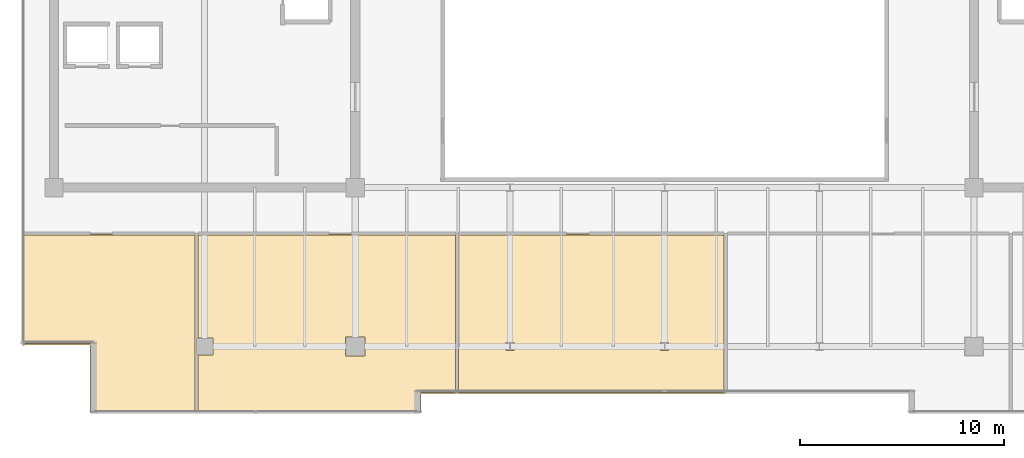
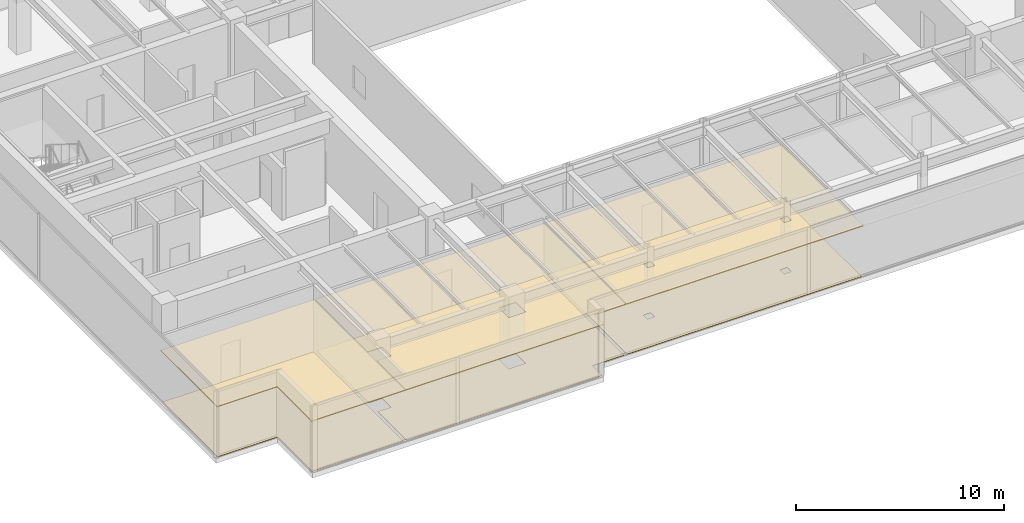
# One storey, part 30 of 34: 6 coverings.
"""IFC4 building model written with IfcOpenShell, lengths in metres."""

from ifc_helpers import new_model, si_unit, direction, frame, origin, place, context, subcontext, project, spatial, polyline, outline, extrude, material, layer, layer_set, type_object, element, save


model = new_model("IFC4")

# Units and contexts
model_context = context("Model", 3, precision=1e-05, world=origin(), true_north=direction((0.0, 1.0)))
body_context = subcontext(model_context, "Body", "Model", "MODEL_VIEW")
ifc_project = project(units=[si_unit("LENGTHUNIT", "METRE"), si_unit("AREAUNIT", "SQUARE_METRE"), si_unit("VOLUMEUNIT", "CUBIC_METRE"), si_unit("PLANEANGLEUNIT", "RADIAN"), si_unit("MASSUNIT", "GRAM", prefix="KILO")], contexts=[model_context])

# Site, building, storey
site_placement = place(None, origin())
site = spatial("IfcSite", under=ifc_project, at=site_placement, CompositionType="ELEMENT")
building_placement = place(site_placement, origin())
building = spatial("IfcBuilding", under=site, at=building_placement, Name="Haelvirn Gate Laboratories", CompositionType="ELEMENT")
storey_placement = place(building_placement, frame((0.0, 0.0, 322.800048828125)))
storey = spatial("IfcBuildingStorey", under=building, at=storey_placement, Name="L77", CompositionType="ELEMENT", Elevation=322.800048828125)

# Coverings
ifc_material_1 = material(Name="Washable cleanroom gasketed aluminium ceiling", Category="aluminium")
ifc_layer_1 = layer(ifc_material_1, 0.050048828125, Name="COV-CEIL-CLN")
ifc_layer_set_1 = layer_set([ifc_layer_1], Name="Washable cleanroom gasketed aluminium ceiling")
covering_type_1 = type_object("IfcCoveringType", Name="COV-CEIL-CLN", PredefinedType="CEILING", material=ifc_layer_set_1)
covering_1_placement = place(storey_placement, frame((0.0, 0.0, 2.989990234375)))
element("IfcCovering", 1, at=covering_1_placement, inside=storey, type_object=covering_type_1, Name="L77 Laboratory Acoustic Ceiling CEIL-SP-L77-S-01", PredefinedType="CEILING", context=body_context, shape_type="SweptSolid", body=[
    extrude(outline(polyline([(5.85009765625, 7.080078125), (5.85009765625, 12.530029296875), (14.3798828125, 12.530029296875), (14.3798828125, 7.419921875), (14.3798828125, 6.580078125), (14.3798828125, 3.75), (9.179931640625, 3.75), (9.179931640625, 7.080078125), (5.85009765625, 7.080078125)])), origin(), (0.0, 0.0, 1.0), 0.050048828125),
])
covering_2_placement = place(storey_placement, frame((0.0, 0.0, 2.989990234375)))
element("IfcCovering", 2, at=covering_2_placement, inside=storey, type_object=covering_type_1, Name="L77 Laboratory Acoustic Ceiling CEIL-SP-L77-S-02", PredefinedType="CEILING", context=body_context, shape_type="SweptSolid", body=[
    extrude(outline(polyline([(27.179931640625, 12.530029296875), (27.179931640625, 4.679931640625), (25.419921875, 4.679931640625), (25.419921875, 3.75), (14.419921875, 3.75), (14.419921875, 6.580078125), (15.219970703125, 6.580078125), (15.219970703125, 7.419921875), (14.419921875, 7.419921875), (14.419921875, 12.530029296875), (27.179931640625, 12.530029296875)]), holes=[polyline([(22.669921875, 7.469970703125), (21.72998046875, 7.469970703125), (21.72998046875, 6.530029296875), (22.669921875, 6.530029296875), (22.669921875, 7.469970703125)])]), origin(), (0.0, 0.0, 1.0), 0.050048828125),
])
covering_3_placement = place(storey_placement, frame((0.0, 0.0, 2.989990234375)))
element("IfcCovering", 3, at=covering_3_placement, inside=storey, type_object=covering_type_1, Name="L77 Laboratory Acoustic Ceiling CEIL-SP-L77-S-03", PredefinedType="CEILING", context=body_context, shape_type="SweptSolid", body=[
    extrude(outline(polyline([(40.3798828125, 12.530029296875), (40.3798828125, 4.679931640625), (27.219970703125, 4.679931640625), (27.219970703125, 12.530029296875), (40.3798828125, 12.530029296875)]), holes=[polyline([(29.60498046875, 7.195068359375), (29.60498046875, 6.804931640625), (29.9951171875, 6.804931640625), (29.9951171875, 7.195068359375), (29.60498046875, 7.195068359375)]), polyline([(37.594970703125, 7.195068359375), (37.205078125, 7.195068359375), (37.205078125, 6.804931640625), (37.594970703125, 6.804931640625), (37.594970703125, 7.195068359375)])]), origin(), (0.0, 0.0, 1.0), 0.050048828125),
])
ifc_material_2 = material(Name="Seamless chemical-resistant epoxy laboratory flooring")
ifc_layer_2 = layer(ifc_material_2, 0.01806640625, Name="COV-FLR-RESIN")
ifc_layer_set_2 = layer_set([ifc_layer_2], Name="Seamless chemical-resistant epoxy laboratory flooring")
covering_type_2 = type_object("IfcCoveringType", Name="COV-FLR-RESIN", PredefinedType="FLOORING", material=ifc_layer_set_2)
covering_4_placement = place(storey_placement, origin())
element("IfcCovering", 4, at=covering_4_placement, inside=storey, type_object=covering_type_2, Name="L77 Seamless Laboratory Flooring FLR-SP-L77-S-01", PredefinedType="FLOORING", context=body_context, shape_type="SweptSolid", body=[
    extrude(outline(polyline([(14.320068359375, 12.469970703125), (14.320068359375, 3.81005859375), (9.239990234375, 3.81005859375), (9.239990234375, 7.10009765625), (9.23974609375, 7.10400390625), (9.2392578125, 7.10791015625), (9.23828125, 7.111572265625), (9.237060546875, 7.115234375), (9.2353515625, 7.118896484375), (9.2333984375, 7.122314453125), (9.23095703125, 7.12548828125), (9.228271484375, 7.12841796875), (9.225341796875, 7.130859375), (9.22216796875, 7.13330078125), (9.218994140625, 7.13525390625), (9.21533203125, 7.136962890625), (9.211669921875, 7.13818359375), (9.207763671875, 7.13916015625), (9.203857421875, 7.139892578125), (9.199951171875, 7.139892578125), (5.909912109375, 7.139892578125), (5.909912109375, 12.469970703125), (14.320068359375, 12.469970703125)])), origin(), (0.0, 0.0, 1.0), 0.01806640625),
])
covering_5_placement = place(storey_placement, origin())
element("IfcCovering", 5, at=covering_5_placement, inside=storey, type_object=covering_type_2, Name="L77 Seamless Laboratory Flooring FLR-SP-L77-S-02", PredefinedType="FLOORING", context=body_context, shape_type="SweptSolid", body=[
    extrude(outline(polyline([(15.219970703125, 7.419921875), (14.47998046875, 7.419921875), (14.47998046875, 12.469970703125), (27.1201171875, 12.469970703125), (27.1201171875, 4.739990234375), (25.39990234375, 4.739990234375), (25.39599609375, 4.73974609375), (25.39208984375, 4.7392578125), (25.388427734375, 4.73828125), (25.384765625, 4.737060546875), (25.381103515625, 4.7353515625), (25.377685546875, 4.7333984375), (25.37451171875, 4.73095703125), (25.37158203125, 4.728271484375), (25.369140625, 4.725341796875), (25.36669921875, 4.72216796875), (25.36474609375, 4.718994140625), (25.363037109375, 4.71533203125), (25.36181640625, 4.711669921875), (25.36083984375, 4.707763671875), (25.360107421875, 4.703857421875), (25.360107421875, 4.699951171875), (25.360107421875, 3.81005859375), (14.47998046875, 3.81005859375), (14.47998046875, 6.580078125), (15.219970703125, 6.580078125), (15.219970703125, 7.419921875)]), holes=[polyline([(21.72998046875, 7.469970703125), (21.72998046875, 6.530029296875), (22.669921875, 6.530029296875), (22.669921875, 7.469970703125), (21.72998046875, 7.469970703125)])]), origin(), (0.0, 0.0, 1.0), 0.01806640625),
])
covering_6_placement = place(storey_placement, origin())
element("IfcCovering", 6, at=covering_6_placement, inside=storey, type_object=covering_type_2, Name="L77 Seamless Laboratory Flooring FLR-SP-L77-S-03", PredefinedType="FLOORING", context=body_context, shape_type="SweptSolid", body=[
    extrude(outline(polyline([(27.280029296875, 4.739990234375), (27.280029296875, 12.469970703125), (40.320068359375, 12.469970703125), (40.320068359375, 4.739990234375), (27.280029296875, 4.739990234375)]), holes=[polyline([(29.60498046875, 6.804931640625), (29.9951171875, 6.804931640625), (29.9951171875, 7.195068359375), (29.60498046875, 7.195068359375), (29.60498046875, 6.804931640625)]), polyline([(37.205078125, 7.195068359375), (37.205078125, 6.804931640625), (37.594970703125, 6.804931640625), (37.594970703125, 7.195068359375), (37.205078125, 7.195068359375)])]), origin(), (0.0, 0.0, 1.0), 0.01806640625),
])

save(model, "model.ifc")
